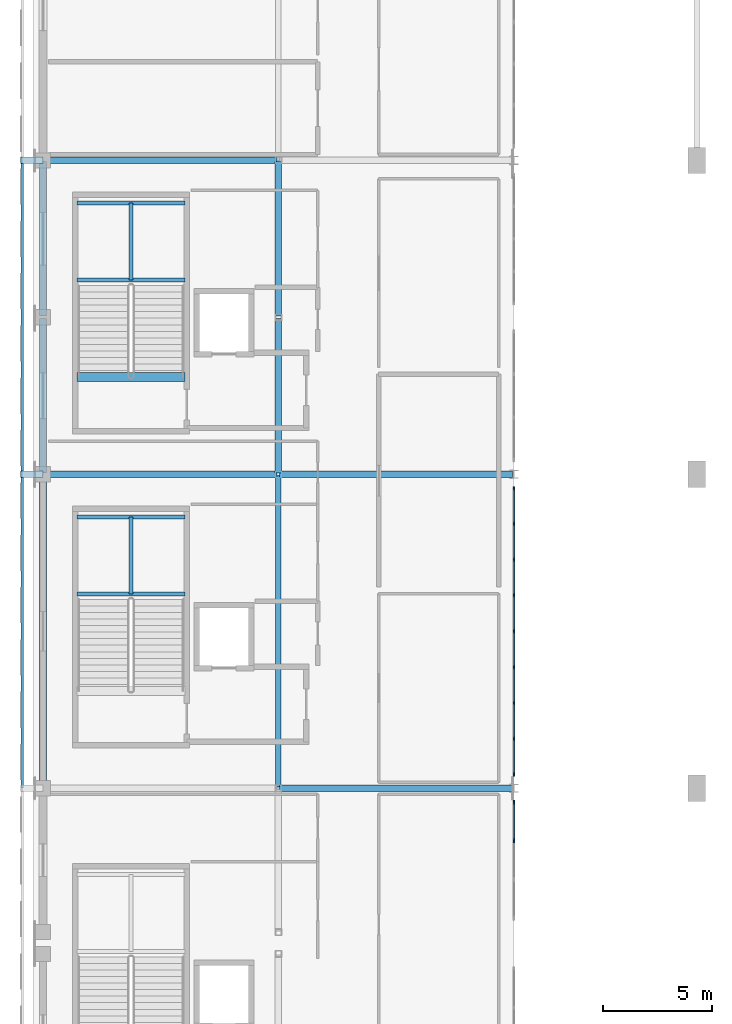
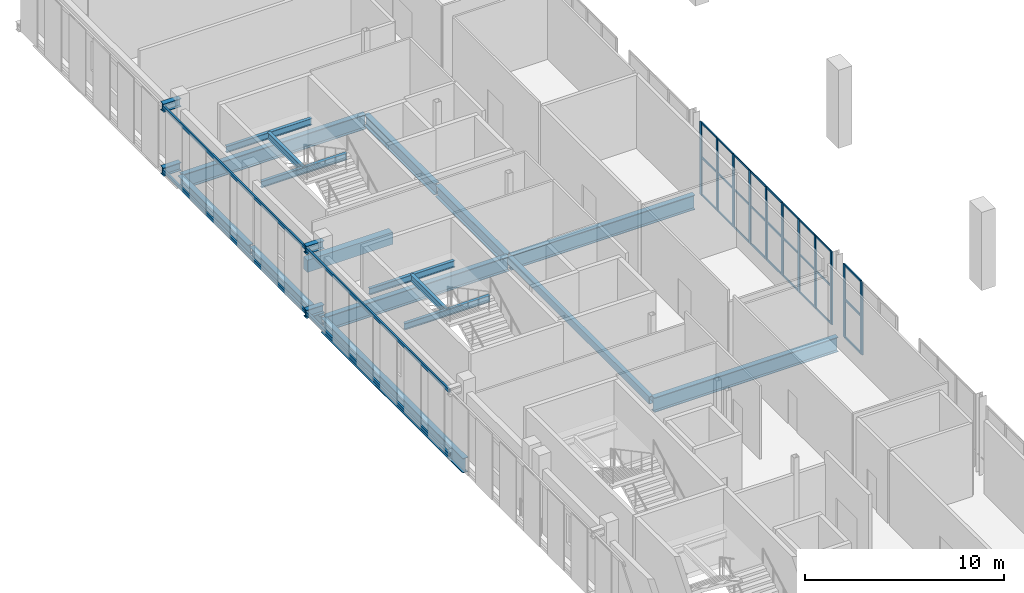
# One storey, part 12 of 51: 42 members, 21 beams, 2 elements without a shape of their own.
"""IFC4 building model written with IfcOpenShell, lengths in metres."""

from ifc_helpers import new_model, si_unit, direction, frame, origin, origin_2d, place, context, subcontext, project, spatial, rectangle, hollow_rectangle, i_section, extrude, material, material_profile, profile_set, type_object, element, aggregate, save


model = new_model("IFC4")

# Units and contexts
model_context = context("Model", 3, precision=1e-05, world=origin(), true_north=direction((0.0, 1.0)))
body_context = subcontext(model_context, "Body", "Model", "MODEL_VIEW")
ifc_project = project(units=[si_unit("LENGTHUNIT", "METRE"), si_unit("AREAUNIT", "SQUARE_METRE"), si_unit("VOLUMEUNIT", "CUBIC_METRE"), si_unit("PLANEANGLEUNIT", "RADIAN"), si_unit("MASSUNIT", "GRAM", prefix="KILO")], contexts=[model_context])

# Site, building, storey
site_placement = place(None, origin())
site = spatial("IfcSite", under=ifc_project, at=site_placement, CompositionType="ELEMENT")
building_placement = place(site_placement, origin())
building = spatial("IfcBuilding", under=site, at=building_placement, Name="Koshinbarg Plaza Stadium", CompositionType="ELEMENT")
storey_placement = place(building_placement, frame((0.0, 0.0, 24.60009765625)))
storey = spatial("IfcBuildingStorey", under=building, at=storey_placement, Name="L05", CompositionType="ELEMENT", Elevation=24.60009765625)

# Beams
ifc_material_1 = material(Name="Steel S355", Category="steel")
ifc_material_profile_1 = material_profile(ifc_material_1, i_section(OverallWidth=0.300048828125, OverallDepth=0.5, WebThickness=0.014404296875, FlangeThickness=0.028076171875, at=origin_2d()), Name="HEB 500")
ifc_profile_set_1 = profile_set([ifc_material_profile_1], Name="Steel S355")
beam_type_1 = type_object("IfcBeamType", Name="BM-CANOPY-CANT", PredefinedType="BEAM", material=ifc_profile_set_1)
for number, where, z_axis, x_axis, name in (
    (1, (24.60009765625, 97.5, 0.25), (-1.0, 0.0, 0.0), (0.0, -1.0, 0.0), "Outer screen cantilever outrigger W-L05-Y06"),
    (2, (24.60009765625, 97.5, 4.179931640625), (-1.0, 0.0, 0.0), (0.0, -1.0, 0.0), "Outer screen cantilever outrigger W-L05-Y06"),
    (3, (24.60009765625, 111.89990234375, 0.25), (-1.0, 0.0, 0.0), (0.0, -1.0, 0.0), "Outer screen cantilever outrigger W-L05-Y07"),
    (4, (24.60009765625, 111.89990234375, 4.179931640625), (-1.0, 0.0, 0.0), (0.0, -1.0, 0.0), "Outer screen cantilever outrigger W-L05-Y07"),
):
    element("IfcBeam", number, at=place(storey_placement, frame(where, z_axis=z_axis, x_axis=x_axis)), inside=storey, type_object=beam_type_1, Name=name, PredefinedType="BEAM", context=body_context, shape_type="SweptSolid", body=[
        extrude(i_section(OverallWidth=0.300048828125, OverallDepth=0.5, WebThickness=0.014404296875, FlangeThickness=0.028076171875, at=origin_2d()), origin(), (0.0, 0.0, 1.0), 1.030029296875),
    ])
ifc_material_2 = material(Name="Concrete C40/50", Category="concrete")
ifc_material_profile_2 = material_profile(ifc_material_2, rectangle(XDim=0.39990234375, YDim=0.75, at=origin_2d()), Name="RC 400x750")
ifc_profile_set_2 = profile_set([ifc_material_profile_2], Name="Concrete C40/50")
beam_type_2 = type_object("IfcBeamType", Name="BM-RCG-03", PredefinedType="USERDEFINED", material=ifc_profile_set_2)
beam_1_placement = place(storey_placement, frame((26.14990234375, 101.9599609375, -0.375), z_axis=(1.0, 0.0, 0.0), x_axis=(0.0, 1.0, 0.0)))
element("IfcBeam", 5, at=beam_1_placement, inside=storey, type_object=beam_type_2, Name="L05 stair landing header beam C06", ObjectType="GIRDER", PredefinedType="USERDEFINED", context=body_context, shape_type="SweptSolid", body=[
    extrude(rectangle(XDim=0.39990234375, YDim=0.75, at=origin_2d()), origin(), (0.0, 0.0, 1.0), 4.97021484375),
])
ifc_material_profile_3 = material_profile(ifc_material_1, i_section(OverallWidth=0.179931640625, OverallDepth=0.39990234375, WebThickness=0.008544921875, FlangeThickness=0.013427734375, at=origin_2d()), Name="IPE 400")
ifc_profile_set_3 = profile_set([ifc_material_profile_3], Name="Steel S355")
beam_type_3 = type_object("IfcBeamType", Name="BM-SBM-01", PredefinedType="BEAM", material=ifc_profile_set_3)
for number, where, z_axis, x_axis, name in (
    (6, (26.14990234375, 92.010009765625, 1.8798828125), (1.0, 0.0, 0.0), (0.0, 1.0, 0.0), "L05 Protected Exit Stair C05 landing trimmer beam 1"),
    (7, (26.14990234375, 95.550048828125, 1.8798828125), (1.0, 0.0, 0.0), (0.0, 1.0, 0.0), "L05 Protected Exit Stair C05 landing trimmer beam 2"),
):
    element("IfcBeam", number, at=place(storey_placement, frame(where, z_axis=z_axis, x_axis=x_axis)), inside=storey, type_object=beam_type_3, Name=name, PredefinedType="BEAM", context=body_context, shape_type="SweptSolid", body=[
        extrude(i_section(OverallWidth=0.179931640625, OverallDepth=0.39990234375, WebThickness=0.008544921875, FlangeThickness=0.013427734375, at=origin_2d()), origin(), (0.0, 0.0, 1.0), 4.97021484375),
    ])
beam_2_placement = place(storey_placement, frame((28.635009765625, 92.010009765625, 1.8798828125), z_axis=(0.0, 1.0, 0.0), x_axis=(-1.0, 0.0, 0.0)))
element("IfcBeam", 8, at=beam_2_placement, inside=storey, type_object=beam_type_3, Name="L05 Protected Exit Stair C05 landing trimmer beam 3", PredefinedType="BEAM", context=body_context, shape_type="SweptSolid", body=[
    extrude(i_section(OverallWidth=0.179931640625, OverallDepth=0.39990234375, WebThickness=0.008544921875, FlangeThickness=0.013427734375, at=origin_2d()), origin(), (0.0, 0.0, 1.0), 3.5400390625),
])
for number, where, z_axis, x_axis, name in (
    (9, (26.14990234375, 106.409912109375, 1.8798828125), (1.0, 0.0, 0.0), (0.0, 1.0, 0.0), "L05 Protected Exit Stair C06 landing trimmer beam 1"),
    (10, (26.14990234375, 109.949951171875, 1.8798828125), (1.0, 0.0, 0.0), (0.0, 1.0, 0.0), "L05 Protected Exit Stair C06 landing trimmer beam 2"),
):
    element("IfcBeam", number, at=place(storey_placement, frame(where, z_axis=z_axis, x_axis=x_axis)), inside=storey, type_object=beam_type_3, Name=name, PredefinedType="BEAM", context=body_context, shape_type="SweptSolid", body=[
        extrude(i_section(OverallWidth=0.179931640625, OverallDepth=0.39990234375, WebThickness=0.008544921875, FlangeThickness=0.013427734375, at=origin_2d()), origin(), (0.0, 0.0, 1.0), 4.97021484375),
    ])
beam_3_placement = place(storey_placement, frame((28.635009765625, 106.409912109375, 1.8798828125), z_axis=(0.0, 1.0, 0.0), x_axis=(-1.0, 0.0, 0.0)))
element("IfcBeam", 11, at=beam_3_placement, inside=storey, type_object=beam_type_3, Name="L05 Protected Exit Stair C06 landing trimmer beam 3", PredefinedType="BEAM", context=body_context, shape_type="SweptSolid", body=[
    extrude(i_section(OverallWidth=0.179931640625, OverallDepth=0.39990234375, WebThickness=0.008544921875, FlangeThickness=0.013427734375, at=origin_2d()), origin(), (0.0, 0.0, 1.0), 3.5400390625),
])
ifc_material_profile_4 = material_profile(ifc_material_1, i_section(OverallWidth=0.300048828125, OverallDepth=0.60009765625, WebThickness=0.015380859375, FlangeThickness=0.030029296875, at=origin_2d()), Name="HEB 600")
ifc_profile_set_4 = profile_set([ifc_material_profile_4], Name="Steel S355")
beam_type_4 = type_object("IfcBeamType", Name="BM-SGIR-02", PredefinedType="USERDEFINED", material=ifc_profile_set_4)
beam_4_placement = place(storey_placement, frame((24.60009765625, 97.56005859375, -0.60009765625), z_axis=(0.0, 1.0, 0.0), x_axis=(-1.0, 0.0, 0.0)))
element("IfcBeam", 12, at=beam_4_placement, inside=storey, type_object=beam_type_4, Name="L05 Y girder 5/N-P", ObjectType="GIRDER", PredefinedType="USERDEFINED", context=body_context, shape_type="SweptSolid", body=[
    extrude(i_section(OverallWidth=0.300048828125, OverallDepth=0.60009765625, WebThickness=0.015380859375, FlangeThickness=0.030029296875, at=origin_2d()), origin(), (0.0, 0.0, 1.0), 7.079833984375),
])
beam_5_placement = place(storey_placement, frame((24.60009765625, 104.760009765625, -0.60009765625), z_axis=(0.0, 1.0, 0.0), x_axis=(-1.0, 0.0, 0.0)))
element("IfcBeam", 13, at=beam_5_placement, inside=storey, type_object=beam_type_4, Name="L05 Y girder 5/P-Q", ObjectType="GIRDER", PredefinedType="USERDEFINED", context=body_context, shape_type="SweptSolid", body=[
    extrude(i_section(OverallWidth=0.300048828125, OverallDepth=0.60009765625, WebThickness=0.015380859375, FlangeThickness=0.030029296875, at=origin_2d()), origin(), (0.0, 0.0, 1.0), 7.080078125),
])
ifc_material_profile_5 = material_profile(ifc_material_1, i_section(OverallWidth=0.300048828125, OverallDepth=0.699951171875, WebThickness=0.01708984375, FlangeThickness=0.031982421875, at=origin_2d()), Name="HEB 700")
ifc_profile_set_5 = profile_set([ifc_material_profile_5], Name="Steel S355")
beam_type_5 = type_object("IfcBeamType", Name="BM-SGIR-03", PredefinedType="USERDEFINED", material=ifc_profile_set_5)
beam_6_placement = place(storey_placement, frame((35.39990234375, 97.56005859375, -0.650146484375), z_axis=(0.0, 1.0, 0.0), x_axis=(-1.0, 0.0, 0.0)))
element("IfcBeam", 14, at=beam_6_placement, inside=storey, type_object=beam_type_5, Name="L05 Y girder 6/N-P", ObjectType="GIRDER", PredefinedType="USERDEFINED", context=body_context, shape_type="SweptSolid", body=[
    extrude(i_section(OverallWidth=0.300048828125, OverallDepth=0.699951171875, WebThickness=0.01708984375, FlangeThickness=0.031982421875, at=origin_2d()), origin(), (0.0, 0.0, 1.0), 7.079833984375),
])
beam_7_placement = place(storey_placement, frame((35.39990234375, 104.760009765625, -0.650146484375), z_axis=(0.0, 1.0, 0.0), x_axis=(-1.0, 0.0, 0.0)))
element("IfcBeam", 15, at=beam_7_placement, inside=storey, type_object=beam_type_5, Name="L05 Y girder 6/P-Q", ObjectType="GIRDER", PredefinedType="USERDEFINED", context=body_context, shape_type="SweptSolid", body=[
    extrude(i_section(OverallWidth=0.300048828125, OverallDepth=0.699951171875, WebThickness=0.01708984375, FlangeThickness=0.031982421875, at=origin_2d()), origin(), (0.0, 0.0, 1.0), 7.080078125),
])
ifc_material_profile_6 = material_profile(ifc_material_1, i_section(OverallWidth=0.300048828125, OverallDepth=0.89990234375, WebThickness=0.0185546875, FlangeThickness=0.034912109375, at=origin_2d()), Name="HEB 900")
ifc_profile_set_6 = profile_set([ifc_material_profile_6], Name="Steel S355")
beam_type_6 = type_object("IfcBeamType", Name="BM-SGIR-05", PredefinedType="USERDEFINED", material=ifc_profile_set_6)
beam_8_placement = place(storey_placement, frame((35.4599609375, 83.10009765625, -0.75), z_axis=(1.0, 0.0, 0.0), x_axis=(0.0, 1.0, 0.0)))
element("IfcBeam", 16, at=beam_8_placement, inside=storey, type_object=beam_type_6, Name="L05 X girder M/6-7", ObjectType="GIRDER", PredefinedType="USERDEFINED", context=body_context, shape_type="SweptSolid", body=[
    extrude(i_section(OverallWidth=0.300048828125, OverallDepth=0.89990234375, WebThickness=0.0185546875, FlangeThickness=0.034912109375, at=origin_2d()), origin(), (0.0, 0.0, 1.0), 10.679931640625),
])
beam_9_placement = place(storey_placement, frame((24.659912109375, 97.5, -0.75), z_axis=(1.0, 0.0, 0.0), x_axis=(0.0, 1.0, 0.0)))
element("IfcBeam", 17, at=beam_9_placement, inside=storey, type_object=beam_type_6, Name="L05 X girder N/5-6", ObjectType="GIRDER", PredefinedType="USERDEFINED", context=body_context, shape_type="SweptSolid", body=[
    extrude(i_section(OverallWidth=0.300048828125, OverallDepth=0.89990234375, WebThickness=0.0185546875, FlangeThickness=0.034912109375, at=origin_2d()), origin(), (0.0, 0.0, 1.0), 10.68017578125),
])
beam_10_placement = place(storey_placement, frame((35.4599609375, 97.5, -0.75), z_axis=(1.0, 0.0, 0.0), x_axis=(0.0, 1.0, 0.0)))
element("IfcBeam", 18, at=beam_10_placement, inside=storey, type_object=beam_type_6, Name="L05 X girder N/6-7", ObjectType="GIRDER", PredefinedType="USERDEFINED", context=body_context, shape_type="SweptSolid", body=[
    extrude(i_section(OverallWidth=0.300048828125, OverallDepth=0.89990234375, WebThickness=0.0185546875, FlangeThickness=0.034912109375, at=origin_2d()), origin(), (0.0, 0.0, 1.0), 10.679931640625),
])
beam_11_placement = place(storey_placement, frame((24.659912109375, 111.89990234375, -0.75), z_axis=(1.0, 0.0, 0.0), x_axis=(0.0, 1.0, 0.0)))
element("IfcBeam", 19, at=beam_11_placement, inside=storey, type_object=beam_type_6, Name="L05 X girder Q/5-6", ObjectType="GIRDER", PredefinedType="USERDEFINED", context=body_context, shape_type="SweptSolid", body=[
    extrude(i_section(OverallWidth=0.300048828125, OverallDepth=0.89990234375, WebThickness=0.0185546875, FlangeThickness=0.034912109375, at=origin_2d()), origin(), (0.0, 0.0, 1.0), 10.68017578125),
])
beam_12_placement = place(storey_placement, frame((24.60009765625, 83.159912109375, -0.75), z_axis=(0.0, 1.0, 0.0), x_axis=(-1.0, 0.0, 0.0)))
element("IfcBeam", 20, at=beam_12_placement, inside=storey, type_object=beam_type_6, Name="L05 Y girder 5/M-N", ObjectType="GIRDER", PredefinedType="USERDEFINED", context=body_context, shape_type="SweptSolid", body=[
    extrude(i_section(OverallWidth=0.300048828125, OverallDepth=0.89990234375, WebThickness=0.0185546875, FlangeThickness=0.034912109375, at=origin_2d()), origin(), (0.0, 0.0, 1.0), 14.280029296875),
])
ifc_material_profile_7 = material_profile(ifc_material_1, hollow_rectangle(XDim=0.25, YDim=0.449951171875, WallThickness=0.01611328125, at=origin_2d()), Name="RHS 450x250x16")
ifc_profile_set_7 = profile_set([ifc_material_profile_7], Name="Steel S355")
beam_type_7 = type_object("IfcBeamType", Name="BM-SGIR-06", PredefinedType="USERDEFINED", material=ifc_profile_set_7)
beam_13_placement = place(storey_placement, frame((35.39990234375, 83.159912109375, -0.525146484375), z_axis=(0.0, 1.0, 0.0), x_axis=(-1.0, 0.0, 0.0)))
element("IfcBeam", 21, at=beam_13_placement, inside=storey, type_object=beam_type_7, Name="L05 Y girder 6/M-N", ObjectType="GIRDER", PredefinedType="USERDEFINED", context=body_context, shape_type="SweptSolid", body=[
    extrude(hollow_rectangle(XDim=0.25, YDim=0.449951171875, WallThickness=0.01611328125, at=origin_2d()), origin(), (0.0, 0.0, 1.0), 14.280029296875),
])

# Curtain wall, members
ifc_material_3 = material(Name="Thermally broken anodised aluminium and low-E double glazing", Category="aluminium")
curtain_wall_type_1 = type_object("IfcCurtainWallType", Name="CW-SYS-07", PredefinedType="NOTDEFINED", material=ifc_material_3)
curtain_wall_1_placement = place(storey_placement, origin())
curtain_wall_1 = element("IfcCurtainWall", 22, at=curtain_wall_1_placement, inside=storey, type_object=curtain_wall_type_1, Name="L05 unitised curtain wall CW-L05-134", PredefinedType="NOTDEFINED")
ifc_material_4 = material(Name="Anodised aluminium mullion", Category="aluminium")
ifc_material_profile_8 = material_profile(ifc_material_4, rectangle(XDim=0.070068359375, YDim=0.179931640625, at=origin_2d()), Name="ALU 70x180")
ifc_profile_set_8 = profile_set([ifc_material_profile_8], Name="Anodised aluminium mullion")
member_type_1 = type_object("IfcMemberType", Name="CW-MUL-03", PredefinedType="MULLION", material=ifc_profile_set_8)
member_1_placement = place(storey_placement, frame((46.199951171875, 96.85009765625, 0.0), z_axis=(0.0, 0.0, 1.0), x_axis=(1.0, 0.0, 0.0)))
member_1 = element("IfcMember", 23, at=member_1_placement, type_object=member_type_1, Name="CW07 mullion 1", PredefinedType="MULLION", context=body_context, shape_type="SweptSolid", body=[
    extrude(rectangle(XDim=0.070068359375, YDim=0.179931640625, at=origin_2d()), origin(), (0.0, 0.0, 1.0), 4.47998046875),
])
member_2_placement = place(storey_placement, frame((46.199951171875, 95.235107421875, 0.0), z_axis=(0.0, 0.0, 1.0), x_axis=(1.0, 0.0, 0.0)))
member_2 = element("IfcMember", 24, at=member_2_placement, type_object=member_type_1, Name="CW07 mullion 2", PredefinedType="MULLION", context=body_context, shape_type="SweptSolid", body=[
    extrude(rectangle(XDim=0.070068359375, YDim=0.179931640625, at=origin_2d()), origin(), (0.0, 0.0, 1.0), 4.47998046875),
])
member_3_placement = place(storey_placement, frame((46.199951171875, 93.590087890625, 0.0), z_axis=(0.0, 0.0, 1.0), x_axis=(1.0, 0.0, 0.0)))
member_3 = element("IfcMember", 25, at=member_3_placement, type_object=member_type_1, Name="CW07 mullion 3", PredefinedType="MULLION", context=body_context, shape_type="SweptSolid", body=[
    extrude(rectangle(XDim=0.070068359375, YDim=0.179931640625, at=origin_2d()), origin(), (0.0, 0.0, 1.0), 4.47998046875),
])
member_4_placement = place(storey_placement, frame((46.199951171875, 91.945068359375, 0.0), z_axis=(0.0, 0.0, 1.0), x_axis=(1.0, 0.0, 0.0)))
member_4 = element("IfcMember", 26, at=member_4_placement, type_object=member_type_1, Name="CW07 mullion 4", PredefinedType="MULLION", context=body_context, shape_type="SweptSolid", body=[
    extrude(rectangle(XDim=0.070068359375, YDim=0.179931640625, at=origin_2d()), origin(), (0.0, 0.0, 1.0), 4.47998046875),
])
member_5_placement = place(storey_placement, frame((46.199951171875, 90.300048828125, 0.0), z_axis=(0.0, 0.0, 1.0), x_axis=(1.0, 0.0, 0.0)))
member_5 = element("IfcMember", 27, at=member_5_placement, type_object=member_type_1, Name="CW07 mullion 5", PredefinedType="MULLION", context=body_context, shape_type="SweptSolid", body=[
    extrude(rectangle(XDim=0.070068359375, YDim=0.179931640625, at=origin_2d()), origin(), (0.0, 0.0, 1.0), 4.47998046875),
])
member_6_placement = place(storey_placement, frame((46.199951171875, 88.655029296875, 0.0), z_axis=(0.0, 0.0, 1.0), x_axis=(1.0, 0.0, 0.0)))
member_6 = element("IfcMember", 28, at=member_6_placement, type_object=member_type_1, Name="CW07 mullion 6", PredefinedType="MULLION", context=body_context, shape_type="SweptSolid", body=[
    extrude(rectangle(XDim=0.070068359375, YDim=0.179931640625, at=origin_2d()), origin(), (0.0, 0.0, 1.0), 4.47998046875),
])
member_7_placement = place(storey_placement, frame((46.199951171875, 87.010009765625, 0.0), z_axis=(0.0, 0.0, 1.0), x_axis=(1.0, 0.0, 0.0)))
member_7 = element("IfcMember", 29, at=member_7_placement, type_object=member_type_1, Name="CW07 mullion 7", PredefinedType="MULLION", context=body_context, shape_type="SweptSolid", body=[
    extrude(rectangle(XDim=0.070068359375, YDim=0.179931640625, at=origin_2d()), origin(), (0.0, 0.0, 1.0), 4.47998046875),
])
member_8_placement = place(storey_placement, frame((46.199951171875, 85.364990234375, 0.0), z_axis=(0.0, 0.0, 1.0), x_axis=(1.0, 0.0, 0.0)))
member_8 = element("IfcMember", 30, at=member_8_placement, type_object=member_type_1, Name="CW07 mullion 8", PredefinedType="MULLION", context=body_context, shape_type="SweptSolid", body=[
    extrude(rectangle(XDim=0.070068359375, YDim=0.179931640625, at=origin_2d()), origin(), (0.0, 0.0, 1.0), 4.47998046875),
])
member_9_placement = place(storey_placement, frame((46.199951171875, 83.75, 0.0), z_axis=(0.0, 0.0, 1.0), x_axis=(1.0, 0.0, 0.0)))
member_9 = element("IfcMember", 31, at=member_9_placement, type_object=member_type_1, Name="CW07 mullion 9", PredefinedType="MULLION", context=body_context, shape_type="SweptSolid", body=[
    extrude(rectangle(XDim=0.070068359375, YDim=0.179931640625, at=origin_2d()), origin(), (0.0, 0.0, 1.0), 4.47998046875),
])

curtain_wall_type_2 = type_object("IfcCurtainWallType", Name="CW-SYS-08", PredefinedType="NOTDEFINED", material=ifc_material_3)
curtain_wall_2_placement = place(storey_placement, origin())
curtain_wall_2 = element("IfcCurtainWall", 32, at=curtain_wall_2_placement, inside=storey, type_object=curtain_wall_type_2, Name="L05 unitised curtain wall CW-L05-135", PredefinedType="NOTDEFINED")
ifc_material_profile_9 = material_profile(ifc_material_4, rectangle(XDim=0.070068359375, YDim=0.199951171875, at=origin_2d()), Name="ALU 70x200")
ifc_profile_set_9 = profile_set([ifc_material_profile_9], Name="Anodised aluminium mullion")
member_type_2 = type_object("IfcMemberType", Name="CW-MUL-04", PredefinedType="MULLION", material=ifc_profile_set_9)
member_10_placement = place(storey_placement, frame((46.199951171875, 82.449951171875, 0.0), z_axis=(0.0, 0.0, 1.0), x_axis=(1.0, 0.0, 0.0)))
member_10 = element("IfcMember", 33, at=member_10_placement, type_object=member_type_2, Name="CW08 mullion 1", PredefinedType="MULLION", context=body_context, shape_type="SweptSolid", body=[
    extrude(rectangle(XDim=0.070068359375, YDim=0.199951171875, at=origin_2d()), origin(), (0.0, 0.0, 1.0), 4.47998046875),
])
member_11_placement = place(storey_placement, frame((46.199951171875, 80.693359375, 0.0), z_axis=(0.0, 0.0, 1.0), x_axis=(1.0, 0.0, 0.0)))
member_11 = element("IfcMember", 34, at=member_11_placement, type_object=member_type_2, Name="CW08 mullion 2", PredefinedType="MULLION", context=body_context, shape_type="SweptSolid", body=[
    extrude(rectangle(XDim=0.070068359375, YDim=0.199951171875, at=origin_2d()), origin(), (0.0, 0.0, 1.0), 4.47998046875),
])

# Member
ifc_material_5 = material(Name="Anodised aluminium transom", Category="aluminium")
ifc_material_profile_10 = material_profile(ifc_material_5, rectangle(XDim=0.06005859375, YDim=0.110107421875, at=origin_2d()), Name="ALU 60x110")
ifc_profile_set_10 = profile_set([ifc_material_profile_10], Name="Anodised aluminium transom")
member_type_3 = type_object("IfcMemberType", Name="CW-TRN-01", PredefinedType="USERDEFINED", material=ifc_profile_set_10)
member_12_placement = place(storey_placement, frame((46.199951171875, 96.820068359375, 0.02978515625), z_axis=(0.0, -1.0, 0.0), x_axis=(1.0, 0.0, 0.0)))
member_12 = element("IfcMember", 35, at=member_12_placement, type_object=member_type_3, Name="CW07 transom 1.1", ObjectType="TRANSOM", PredefinedType="USERDEFINED", context=body_context, shape_type="SweptSolid", body=[
    extrude(rectangle(XDim=0.06005859375, YDim=0.110107421875, at=origin_2d()), origin(), (0.0, 0.0, 1.0), 1.55517578125),
])

member_13_placement = place(storey_placement, frame((46.199951171875, 96.820068359375, 2.32958984375), z_axis=(0.0, -1.0, 0.0), x_axis=(1.0, 0.0, 0.0)))
member_13 = element("IfcMember", 36, at=member_13_placement, type_object=member_type_3, Name="CW07 transom 1.2", ObjectType="TRANSOM", PredefinedType="USERDEFINED", context=body_context, shape_type="SweptSolid", body=[
    extrude(rectangle(XDim=0.06005859375, YDim=0.110107421875, at=origin_2d()), origin(), (0.0, 0.0, 1.0), 1.55517578125),
])

member_14_placement = place(storey_placement, frame((46.199951171875, 96.820068359375, 4.449951171875), z_axis=(0.0, -1.0, 0.0), x_axis=(1.0, 0.0, 0.0)))
member_14 = element("IfcMember", 37, at=member_14_placement, type_object=member_type_3, Name="CW07 transom 1.3", ObjectType="TRANSOM", PredefinedType="USERDEFINED", context=body_context, shape_type="SweptSolid", body=[
    extrude(rectangle(XDim=0.06005859375, YDim=0.110107421875, at=origin_2d()), origin(), (0.0, 0.0, 1.0), 1.55517578125),
])

member_15_placement = place(storey_placement, frame((46.199951171875, 95.205078125, 0.02978515625), z_axis=(0.0, -1.0, 0.0), x_axis=(1.0, 0.0, 0.0)))
member_15 = element("IfcMember", 38, at=member_15_placement, type_object=member_type_3, Name="CW07 transom 2.1", ObjectType="TRANSOM", PredefinedType="USERDEFINED", context=body_context, shape_type="SweptSolid", body=[
    extrude(rectangle(XDim=0.06005859375, YDim=0.110107421875, at=origin_2d()), origin(), (0.0, 0.0, 1.0), 1.5849609375),
])

member_16_placement = place(storey_placement, frame((46.199951171875, 95.205078125, 2.32958984375), z_axis=(0.0, -1.0, 0.0), x_axis=(1.0, 0.0, 0.0)))
member_16 = element("IfcMember", 39, at=member_16_placement, type_object=member_type_3, Name="CW07 transom 2.2", ObjectType="TRANSOM", PredefinedType="USERDEFINED", context=body_context, shape_type="SweptSolid", body=[
    extrude(rectangle(XDim=0.06005859375, YDim=0.110107421875, at=origin_2d()), origin(), (0.0, 0.0, 1.0), 1.5849609375),
])

member_17_placement = place(storey_placement, frame((46.199951171875, 95.205078125, 4.449951171875), z_axis=(0.0, -1.0, 0.0), x_axis=(1.0, 0.0, 0.0)))
member_17 = element("IfcMember", 40, at=member_17_placement, type_object=member_type_3, Name="CW07 transom 2.3", ObjectType="TRANSOM", PredefinedType="USERDEFINED", context=body_context, shape_type="SweptSolid", body=[
    extrude(rectangle(XDim=0.06005859375, YDim=0.110107421875, at=origin_2d()), origin(), (0.0, 0.0, 1.0), 1.5849609375),
])

member_18_placement = place(storey_placement, frame((46.199951171875, 93.56005859375, 0.02978515625), z_axis=(0.0, -1.0, 0.0), x_axis=(1.0, 0.0, 0.0)))
member_18 = element("IfcMember", 41, at=member_18_placement, type_object=member_type_3, Name="CW07 transom 3.1", ObjectType="TRANSOM", PredefinedType="USERDEFINED", context=body_context, shape_type="SweptSolid", body=[
    extrude(rectangle(XDim=0.06005859375, YDim=0.110107421875, at=origin_2d()), origin(), (0.0, 0.0, 1.0), 1.5849609375),
])

member_19_placement = place(storey_placement, frame((46.199951171875, 93.56005859375, 2.32958984375), z_axis=(0.0, -1.0, 0.0), x_axis=(1.0, 0.0, 0.0)))
member_19 = element("IfcMember", 42, at=member_19_placement, type_object=member_type_3, Name="CW07 transom 3.2", ObjectType="TRANSOM", PredefinedType="USERDEFINED", context=body_context, shape_type="SweptSolid", body=[
    extrude(rectangle(XDim=0.06005859375, YDim=0.110107421875, at=origin_2d()), origin(), (0.0, 0.0, 1.0), 1.5849609375),
])

member_20_placement = place(storey_placement, frame((46.199951171875, 93.56005859375, 4.449951171875), z_axis=(0.0, -1.0, 0.0), x_axis=(1.0, 0.0, 0.0)))
member_20 = element("IfcMember", 43, at=member_20_placement, type_object=member_type_3, Name="CW07 transom 3.3", ObjectType="TRANSOM", PredefinedType="USERDEFINED", context=body_context, shape_type="SweptSolid", body=[
    extrude(rectangle(XDim=0.06005859375, YDim=0.110107421875, at=origin_2d()), origin(), (0.0, 0.0, 1.0), 1.5849609375),
])

member_21_placement = place(storey_placement, frame((46.199951171875, 91.9150390625, 0.02978515625), z_axis=(0.0, -1.0, 0.0), x_axis=(1.0, 0.0, 0.0)))
member_21 = element("IfcMember", 44, at=member_21_placement, type_object=member_type_3, Name="CW07 transom 4.1", ObjectType="TRANSOM", PredefinedType="USERDEFINED", context=body_context, shape_type="SweptSolid", body=[
    extrude(rectangle(XDim=0.06005859375, YDim=0.110107421875, at=origin_2d()), origin(), (0.0, 0.0, 1.0), 1.5849609375),
])

member_22_placement = place(storey_placement, frame((46.199951171875, 91.9150390625, 2.32958984375), z_axis=(0.0, -1.0, 0.0), x_axis=(1.0, 0.0, 0.0)))
member_22 = element("IfcMember", 45, at=member_22_placement, type_object=member_type_3, Name="CW07 transom 4.2", ObjectType="TRANSOM", PredefinedType="USERDEFINED", context=body_context, shape_type="SweptSolid", body=[
    extrude(rectangle(XDim=0.06005859375, YDim=0.110107421875, at=origin_2d()), origin(), (0.0, 0.0, 1.0), 1.5849609375),
])

member_23_placement = place(storey_placement, frame((46.199951171875, 91.9150390625, 4.449951171875), z_axis=(0.0, -1.0, 0.0), x_axis=(1.0, 0.0, 0.0)))
member_23 = element("IfcMember", 46, at=member_23_placement, type_object=member_type_3, Name="CW07 transom 4.3", ObjectType="TRANSOM", PredefinedType="USERDEFINED", context=body_context, shape_type="SweptSolid", body=[
    extrude(rectangle(XDim=0.06005859375, YDim=0.110107421875, at=origin_2d()), origin(), (0.0, 0.0, 1.0), 1.5849609375),
])

member_24_placement = place(storey_placement, frame((46.199951171875, 90.27001953125, 0.02978515625), z_axis=(0.0, -1.0, 0.0), x_axis=(1.0, 0.0, 0.0)))
member_24 = element("IfcMember", 47, at=member_24_placement, type_object=member_type_3, Name="CW07 transom 5.1", ObjectType="TRANSOM", PredefinedType="USERDEFINED", context=body_context, shape_type="SweptSolid", body=[
    extrude(rectangle(XDim=0.06005859375, YDim=0.110107421875, at=origin_2d()), origin(), (0.0, 0.0, 1.0), 1.5849609375),
])

member_25_placement = place(storey_placement, frame((46.199951171875, 90.27001953125, 2.32958984375), z_axis=(0.0, -1.0, 0.0), x_axis=(1.0, 0.0, 0.0)))
member_25 = element("IfcMember", 48, at=member_25_placement, type_object=member_type_3, Name="CW07 transom 5.2", ObjectType="TRANSOM", PredefinedType="USERDEFINED", context=body_context, shape_type="SweptSolid", body=[
    extrude(rectangle(XDim=0.06005859375, YDim=0.110107421875, at=origin_2d()), origin(), (0.0, 0.0, 1.0), 1.5849609375),
])

member_26_placement = place(storey_placement, frame((46.199951171875, 90.27001953125, 4.449951171875), z_axis=(0.0, -1.0, 0.0), x_axis=(1.0, 0.0, 0.0)))
member_26 = element("IfcMember", 49, at=member_26_placement, type_object=member_type_3, Name="CW07 transom 5.3", ObjectType="TRANSOM", PredefinedType="USERDEFINED", context=body_context, shape_type="SweptSolid", body=[
    extrude(rectangle(XDim=0.06005859375, YDim=0.110107421875, at=origin_2d()), origin(), (0.0, 0.0, 1.0), 1.5849609375),
])

member_27_placement = place(storey_placement, frame((46.199951171875, 88.625, 0.02978515625), z_axis=(0.0, -1.0, 0.0), x_axis=(1.0, 0.0, 0.0)))
member_27 = element("IfcMember", 50, at=member_27_placement, type_object=member_type_3, Name="CW07 transom 6.1", ObjectType="TRANSOM", PredefinedType="USERDEFINED", context=body_context, shape_type="SweptSolid", body=[
    extrude(rectangle(XDim=0.06005859375, YDim=0.110107421875, at=origin_2d()), origin(), (0.0, 0.0, 1.0), 1.5849609375),
])

member_28_placement = place(storey_placement, frame((46.199951171875, 88.625, 2.32958984375), z_axis=(0.0, -1.0, 0.0), x_axis=(1.0, 0.0, 0.0)))
member_28 = element("IfcMember", 51, at=member_28_placement, type_object=member_type_3, Name="CW07 transom 6.2", ObjectType="TRANSOM", PredefinedType="USERDEFINED", context=body_context, shape_type="SweptSolid", body=[
    extrude(rectangle(XDim=0.06005859375, YDim=0.110107421875, at=origin_2d()), origin(), (0.0, 0.0, 1.0), 1.5849609375),
])

member_29_placement = place(storey_placement, frame((46.199951171875, 88.625, 4.449951171875), z_axis=(0.0, -1.0, 0.0), x_axis=(1.0, 0.0, 0.0)))
member_29 = element("IfcMember", 52, at=member_29_placement, type_object=member_type_3, Name="CW07 transom 6.3", ObjectType="TRANSOM", PredefinedType="USERDEFINED", context=body_context, shape_type="SweptSolid", body=[
    extrude(rectangle(XDim=0.06005859375, YDim=0.110107421875, at=origin_2d()), origin(), (0.0, 0.0, 1.0), 1.5849609375),
])

member_30_placement = place(storey_placement, frame((46.199951171875, 86.97998046875, 0.02978515625), z_axis=(0.0, -1.0, 0.0), x_axis=(1.0, 0.0, 0.0)))
member_30 = element("IfcMember", 53, at=member_30_placement, type_object=member_type_3, Name="CW07 transom 7.1", ObjectType="TRANSOM", PredefinedType="USERDEFINED", context=body_context, shape_type="SweptSolid", body=[
    extrude(rectangle(XDim=0.06005859375, YDim=0.110107421875, at=origin_2d()), origin(), (0.0, 0.0, 1.0), 1.5849609375),
])

member_31_placement = place(storey_placement, frame((46.199951171875, 86.97998046875, 2.32958984375), z_axis=(0.0, -1.0, 0.0), x_axis=(1.0, 0.0, 0.0)))
member_31 = element("IfcMember", 54, at=member_31_placement, type_object=member_type_3, Name="CW07 transom 7.2", ObjectType="TRANSOM", PredefinedType="USERDEFINED", context=body_context, shape_type="SweptSolid", body=[
    extrude(rectangle(XDim=0.06005859375, YDim=0.110107421875, at=origin_2d()), origin(), (0.0, 0.0, 1.0), 1.5849609375),
])

member_32_placement = place(storey_placement, frame((46.199951171875, 86.97998046875, 4.449951171875), z_axis=(0.0, -1.0, 0.0), x_axis=(1.0, 0.0, 0.0)))
member_32 = element("IfcMember", 55, at=member_32_placement, type_object=member_type_3, Name="CW07 transom 7.3", ObjectType="TRANSOM", PredefinedType="USERDEFINED", context=body_context, shape_type="SweptSolid", body=[
    extrude(rectangle(XDim=0.06005859375, YDim=0.110107421875, at=origin_2d()), origin(), (0.0, 0.0, 1.0), 1.5849609375),
])

member_33_placement = place(storey_placement, frame((46.199951171875, 85.3349609375, 0.02978515625), z_axis=(0.0, -1.0, 0.0), x_axis=(1.0, 0.0, 0.0)))
member_33 = element("IfcMember", 56, at=member_33_placement, type_object=member_type_3, Name="CW07 transom 8.1", ObjectType="TRANSOM", PredefinedType="USERDEFINED", context=body_context, shape_type="SweptSolid", body=[
    extrude(rectangle(XDim=0.06005859375, YDim=0.110107421875, at=origin_2d()), origin(), (0.0, 0.0, 1.0), 1.554931640625),
])

member_34_placement = place(storey_placement, frame((46.199951171875, 85.3349609375, 2.32958984375), z_axis=(0.0, -1.0, 0.0), x_axis=(1.0, 0.0, 0.0)))
member_34 = element("IfcMember", 57, at=member_34_placement, type_object=member_type_3, Name="CW07 transom 8.2", ObjectType="TRANSOM", PredefinedType="USERDEFINED", context=body_context, shape_type="SweptSolid", body=[
    extrude(rectangle(XDim=0.06005859375, YDim=0.110107421875, at=origin_2d()), origin(), (0.0, 0.0, 1.0), 1.554931640625),
])

member_35_placement = place(storey_placement, frame((46.199951171875, 85.3349609375, 4.449951171875), z_axis=(0.0, -1.0, 0.0), x_axis=(1.0, 0.0, 0.0)))
member_35 = element("IfcMember", 58, at=member_35_placement, type_object=member_type_3, Name="CW07 transom 8.3", ObjectType="TRANSOM", PredefinedType="USERDEFINED", context=body_context, shape_type="SweptSolid", body=[
    extrude(rectangle(XDim=0.06005859375, YDim=0.110107421875, at=origin_2d()), origin(), (0.0, 0.0, 1.0), 1.554931640625),
])

aggregate(curtain_wall_1, [member_1, member_2, member_3, member_4, member_5, member_6, member_7, member_8, member_9, member_12, member_13, member_14, member_15, member_16, member_17, member_18, member_19, member_20, member_21, member_22, member_23, member_24, member_25, member_26, member_27, member_28, member_29, member_30, member_31, member_32, member_33, member_34, member_35])

ifc_material_profile_11 = material_profile(ifc_material_5, rectangle(XDim=0.06005859375, YDim=0.1298828125, at=origin_2d()), Name="ALU 60x130")
ifc_profile_set_11 = profile_set([ifc_material_profile_11], Name="Anodised aluminium transom")
member_type_4 = type_object("IfcMemberType", Name="CW-TRN-02", PredefinedType="USERDEFINED", material=ifc_profile_set_11)
member_36_placement = place(storey_placement, frame((46.199951171875, 82.419921875, 0.02978515625), z_axis=(0.0, -1.0, 0.0), x_axis=(1.0, 0.0, 0.0)))
member_36 = element("IfcMember", 59, at=member_36_placement, type_object=member_type_4, Name="CW08 transom 1.1", ObjectType="TRANSOM", PredefinedType="USERDEFINED", context=body_context, shape_type="SweptSolid", body=[
    extrude(rectangle(XDim=0.06005859375, YDim=0.1298828125, at=origin_2d()), origin(), (0.0, 0.0, 1.0), 1.696533203125),
])

member_37_placement = place(storey_placement, frame((46.199951171875, 82.419921875, 2.32958984375), z_axis=(0.0, -1.0, 0.0), x_axis=(1.0, 0.0, 0.0)))
member_37 = element("IfcMember", 60, at=member_37_placement, type_object=member_type_4, Name="CW08 transom 1.2", ObjectType="TRANSOM", PredefinedType="USERDEFINED", context=body_context, shape_type="SweptSolid", body=[
    extrude(rectangle(XDim=0.06005859375, YDim=0.1298828125, at=origin_2d()), origin(), (0.0, 0.0, 1.0), 1.696533203125),
])

member_38_placement = place(storey_placement, frame((46.199951171875, 82.419921875, 4.449951171875), z_axis=(0.0, -1.0, 0.0), x_axis=(1.0, 0.0, 0.0)))
member_38 = element("IfcMember", 61, at=member_38_placement, type_object=member_type_4, Name="CW08 transom 1.3", ObjectType="TRANSOM", PredefinedType="USERDEFINED", context=body_context, shape_type="SweptSolid", body=[
    extrude(rectangle(XDim=0.06005859375, YDim=0.1298828125, at=origin_2d()), origin(), (0.0, 0.0, 1.0), 1.696533203125),
])

aggregate(curtain_wall_2, [member_10, member_11, member_36, member_37, member_38])

# Members
ifc_material_profile_12 = material_profile(ifc_material_1, hollow_rectangle(XDim=0.10009765625, YDim=0.199951171875, WallThickness=0.008056640625, at=origin_2d()), Name="RHS 200x100x8")
ifc_profile_set_12 = profile_set([ifc_material_profile_12], Name="Steel S355")
member_type_5 = type_object("IfcMemberType", Name="MB-PURL-03", PredefinedType="PURLIN", material=ifc_profile_set_12)
for number, where, z_axis, x_axis, name in (
    (62, (23.64990234375, 83.10009765625, 0.25), (0.0, 1.0, 0.0), (-1.0, 0.0, 0.0), "L05 outer screen subframe rail W-5-BOT"),
    (63, (23.64990234375, 83.10009765625, 4.179931640625), (0.0, 1.0, 0.0), (-1.0, 0.0, 0.0), "L05 outer screen subframe rail W-5-TOP"),
    (64, (23.64990234375, 97.5, 0.25), (0.0, 1.0, 0.0), (-1.0, 0.0, 0.0), "L05 outer screen subframe rail W-6-BOT"),
    (65, (23.64990234375, 97.5, 4.179931640625), (0.0, 1.0, 0.0), (-1.0, 0.0, 0.0), "L05 outer screen subframe rail W-6-TOP"),
):
    element("IfcMember", number, at=place(storey_placement, frame(where, z_axis=z_axis, x_axis=x_axis)), inside=storey, type_object=member_type_5, Name=name, PredefinedType="PURLIN", context=body_context, shape_type="SweptSolid", body=[
        extrude(hollow_rectangle(XDim=0.10009765625, YDim=0.199951171875, WallThickness=0.008056640625, at=origin_2d()), origin(), (0.0, 0.0, 1.0), 14.39990234375),
    ])

save(model, "model.ifc")
